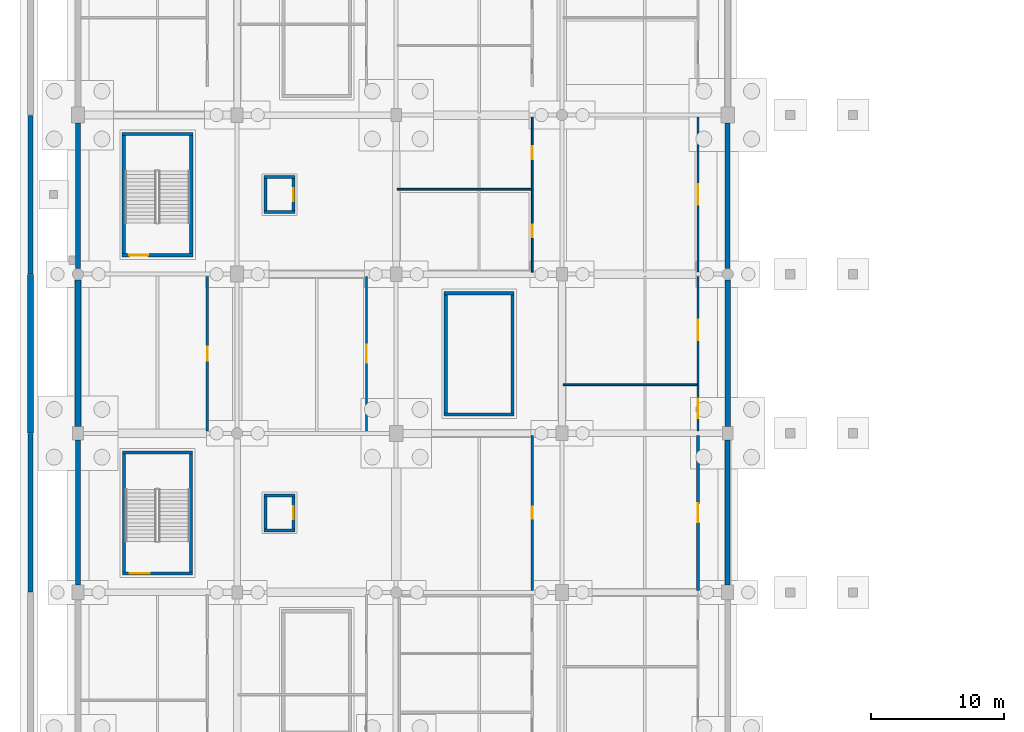
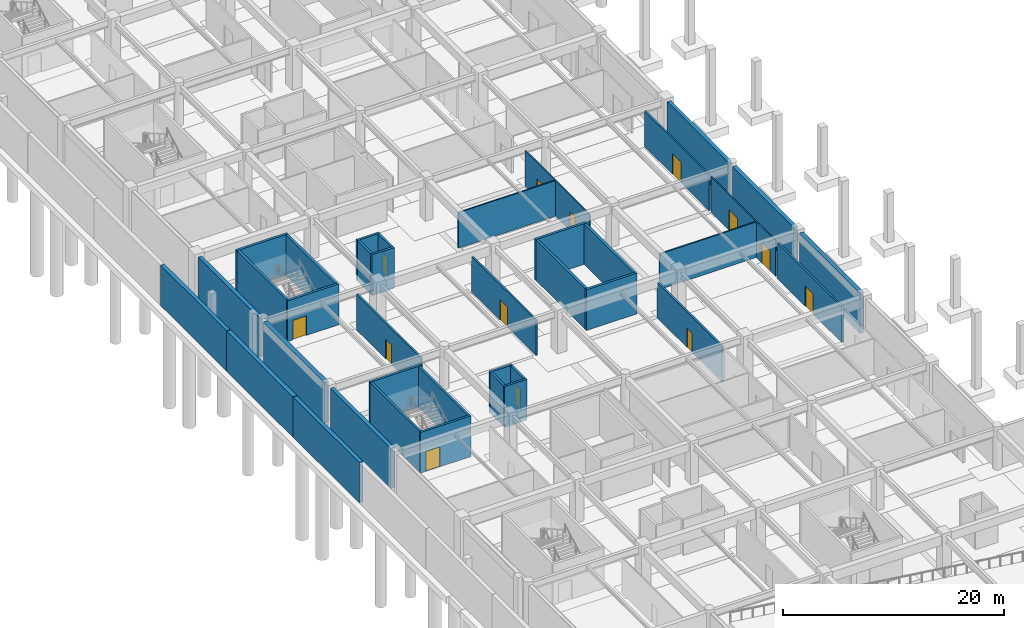
# One storey, part 27 of 56: 38 walls, 13 doors, 13 openings.
"""IFC4 building model written with IfcOpenShell, lengths in metres."""

from ifc_helpers import new_model, si_unit, direction, frame, frame_2d, origin, place, context, subcontext, project, spatial, rectangle, extrude, material, layer, layer_set, type_object, element, fill, save


model = new_model("IFC4")

# Units and contexts
model_context = context("Model", 3, precision=1e-05, world=origin(), true_north=direction((0.0, 1.0)))
body_context = subcontext(model_context, "Body", "Model", "MODEL_VIEW")
ifc_project = project(units=[si_unit("LENGTHUNIT", "METRE"), si_unit("AREAUNIT", "SQUARE_METRE"), si_unit("VOLUMEUNIT", "CUBIC_METRE"), si_unit("PLANEANGLEUNIT", "RADIAN"), si_unit("MASSUNIT", "GRAM", prefix="KILO")], contexts=[model_context])

# Site, building, storey
site_placement = place(None, origin())
site = spatial("IfcSite", under=ifc_project, at=site_placement, CompositionType="ELEMENT")
building_placement = place(site_placement, origin())
building = spatial("IfcBuilding", under=site, at=building_placement, Name="Kazenohara Klinker Stadium", CompositionType="ELEMENT")
storey_placement = place(building_placement, frame((0.0, 0.0, -4.800048828125)))
storey = spatial("IfcBuildingStorey", under=building, at=storey_placement, Name="B01", CompositionType="ELEMENT", Elevation=-4.800048828125)

# Walls
ifc_material_1 = material(Name="Concrete C40/50", Category="concrete")
ifc_layer_1 = layer(ifc_material_1, 0.39990234375)
ifc_layer_set_1 = layer_set([ifc_layer_1], Name="Concrete C40/50")
wall_type_1 = type_object("IfcWallType", Name="WAL-B01-PLINTH400", PredefinedType="USERDEFINED", material=ifc_layer_set_1)
for number, where, z_axis, x_axis, name in (
    (1, (-3.580078125, 60.02001953125, 0.0), (0.0, 0.0, 1.0), (0.0, 1.0, 0.0), "Street plinth retaining wall RW04 West-06"),
    (2, (-3.580078125, 84.02001953125, 0.0), (0.0, 0.0, 1.0), (0.0, 1.0, 0.0), "Street plinth retaining wall RW04 West-08"),
):
    element("IfcWall", number, at=place(storey_placement, frame(where, z_axis=z_axis, x_axis=x_axis)), inside=storey, type_object=wall_type_1, Name=name, ObjectType="RETAINING WALL", PredefinedType="USERDEFINED", context=body_context, shape_type="SweptSolid", body=[
        extrude(rectangle(XDim=11.9599609375, YDim=0.39990234375, at=frame_2d((5.97998046875, 0.0))), origin(), (0.0, 0.0, 1.0), 4.4599609375),
    ])
ifc_layer_2 = layer(ifc_material_1, 0.43994140625)
ifc_layer_set_2 = layer_set([ifc_layer_2], Name="Concrete C40/50")
wall_type_2 = type_object("IfcWallType", Name="WAL-B01-PLINTH440", PredefinedType="USERDEFINED", material=ifc_layer_set_2)
wall_1_placement = place(storey_placement, frame((-3.580078125, 72.02001953125, 0.0), z_axis=(0.0, 0.0, 1.0), x_axis=(0.0, 1.0, 0.0)))
element("IfcWall", 3, at=wall_1_placement, inside=storey, type_object=wall_type_2, Name="Street plinth retaining wall RW03 West-07", ObjectType="RETAINING WALL", PredefinedType="USERDEFINED", context=body_context, shape_type="SweptSolid", body=[
    extrude(rectangle(XDim=11.9599609375, YDim=0.43994140625, at=frame_2d((5.97998046875, 0.0))), origin(), (0.0, 0.0, 1.0), 4.4599609375),
])
ifc_layer_3 = layer(ifc_material_1, 0.3798828125)
ifc_layer_set_3 = layer_set([ifc_layer_3], Name="Concrete C40/50")
wall_type_3 = type_object("IfcWallType", Name="WAL-B01-RET380", PredefinedType="STANDARD", material=ifc_layer_set_3)
wall_2_placement = place(storey_placement, frame((0.0, 60.553955078125, 0.0), z_axis=(0.0, 0.0, 1.0), x_axis=(0.0, 1.0, 0.0)))
element("IfcWall", 4, at=wall_2_placement, inside=storey, type_object=wall_type_3, Name="Basement perimeter retaining wall RW02 Y-00-05", PredefinedType="STANDARD", context=body_context, shape_type="SweptSolid", body=[
    extrude(rectangle(XDim=10.942138671875, YDim=0.3798828125, at=frame_2d((5.47119140625, 0.0))), origin(), (0.0, 0.0, 1.0), 4.4599609375),
])
wall_3_placement = place(storey_placement, frame((0.0, 84.428955078125, 0.0), z_axis=(0.0, 0.0, 1.0), x_axis=(0.0, 1.0, 0.0)))
element("IfcWall", 5, at=wall_3_placement, inside=storey, type_object=wall_type_3, Name="Basement perimeter retaining wall RW02 Y-00-07", PredefinedType="STANDARD", context=body_context, shape_type="SweptSolid", body=[
    extrude(rectangle(XDim=10.967041015625, YDim=0.3798828125, at=frame_2d((5.4833984375, 0.0))), origin(), (0.0, 0.0, 1.0), 4.4599609375),
])
wall_4_placement = place(storey_placement, frame((49.0, 60.553955078125, 0.0), z_axis=(0.0, 0.0, 1.0), x_axis=(0.0, 1.0, 0.0)))
element("IfcWall", 6, at=wall_4_placement, inside=storey, type_object=wall_type_3, Name="Basement perimeter retaining wall RW02 Y-04-05", PredefinedType="STANDARD", context=body_context, shape_type="SweptSolid", body=[
    extrude(rectangle(XDim=10.942138671875, YDim=0.3798828125, at=frame_2d((5.47119140625, 0.0))), origin(), (0.0, 0.0, 1.0), 4.4599609375),
])
wall_5_placement = place(storey_placement, frame((49.0, 84.428955078125, 0.0), z_axis=(0.0, 0.0, 1.0), x_axis=(0.0, 1.0, 0.0)))
element("IfcWall", 7, at=wall_5_placement, inside=storey, type_object=wall_type_3, Name="Basement perimeter retaining wall RW02 Y-04-07", PredefinedType="STANDARD", context=body_context, shape_type="SweptSolid", body=[
    extrude(rectangle(XDim=10.967041015625, YDim=0.3798828125, at=frame_2d((5.4833984375, 0.0))), origin(), (0.0, 0.0, 1.0), 4.4599609375),
])
ifc_layer_4 = layer(ifc_material_1, 0.419921875)
ifc_layer_set_4 = layer_set([ifc_layer_4], Name="Concrete C40/50")
wall_type_4 = type_object("IfcWallType", Name="WAL-B01-RET420", PredefinedType="STANDARD", material=ifc_layer_set_4)
for number, where, z_axis, x_axis, name in (
    (8, (0.0, 72.50390625, 0.0), (0.0, 0.0, 1.0), (0.0, 1.0, 0.0), "Basement perimeter retaining wall RW01 Y-00-06"),
    (9, (49.0, 72.50390625, 0.0), (0.0, 0.0, 1.0), (0.0, 1.0, 0.0), "Basement perimeter retaining wall RW01 Y-04-06"),
):
    element("IfcWall", number, at=place(storey_placement, frame(where, z_axis=z_axis, x_axis=x_axis)), inside=storey, type_object=wall_type_4, Name=name, PredefinedType="STANDARD", context=body_context, shape_type="SweptSolid", body=[
        extrude(rectangle(XDim=11.067138671875, YDim=0.419921875, at=frame_2d((5.53369140625, 0.0))), origin(), (0.0, 0.0, 1.0), 4.4599609375),
    ])

# Wall, opening, door
ifc_layer_5 = layer(ifc_material_1, 0.22998046875)
ifc_layer_set_5 = layer_set([ifc_layer_5], Name="Concrete C40/50")
wall_type_5 = type_object("IfcWallType", Name="WAL-CORE-230", PredefinedType="SHEAR", material=ifc_layer_set_5)
wall_6_placement = place(storey_placement, frame((3.3701171875, 61.43505859375, 0.0), z_axis=(0.0, 0.0, 1.0), x_axis=(1.0, 0.0, 0.0)))
wall_6 = element("IfcWall", 10, at=wall_6_placement, inside=storey, type_object=wall_type_5, Name="Stairwell shear wall ST02 B01 South", PredefinedType="SHEAR", context=body_context, shape_type="SweptSolid", body=[
    extrude(rectangle(XDim=5.259765625, YDim=0.22998046875, at=frame_2d((2.6298828125, 0.0))), origin(), (0.0, 0.0, 1.0), 4.5),
])
opening_1_placement = place(wall_6_placement, frame((0.550048828125, 0.0, 0.0)))
opening_1 = element("IfcOpeningElement", 11, at=opening_1_placement, cuts=wall_6, Name="Opening SD02", PredefinedType="OPENING", context=body_context, shape_type="SweptSolid", body=[
    extrude(rectangle(XDim=1.5, YDim=2.199951171875, at=frame_2d((0.75, 1.10009765625))), frame((0.0, 0.125, 0.0), z_axis=(0.0, -1.0, 0.0), x_axis=(1.0, 0.0, 0.0)), (0.0, 0.0, 1.0), 0.25),
])
ifc_material_2 = material(Name="Flush painted steel fire door leaf", Category="steel")
door_type_1 = type_object("IfcDoorType", Name="DR-STR-1500x2200", OperationType="NOTDEFINED", PredefinedType="DOOR", material=ifc_material_2)
door_1_placement = place(opening_1_placement, origin())
door_1 = element("IfcDoor", 12, at=door_1_placement, inside=storey, type_object=door_type_1, Name="Escape stairwell fire door ST02-B01", OperationType="SINGLE_SWING_RIGHT", OverallHeight=2.199951171875, OverallWidth=1.5, PredefinedType="DOOR", context=body_context, shape_type="SweptSolid", body=[
    extrude(rectangle(XDim=1.5, YDim=2.199951171875, at=frame_2d((0.75, 1.10009765625))), frame((0.0, 0.02490234375, 0.0), z_axis=(0.0, -1.0, 0.0), x_axis=(1.0, 0.0, 0.0)), (0.0, 0.0, 1.0), 0.050048828125),
])
fill(opening_1, door_1)

# Walls
wall_7_placement = place(storey_placement, frame((3.3701171875, 70.56494140625, 0.0), z_axis=(0.0, 0.0, 1.0), x_axis=(1.0, 0.0, 0.0)))
element("IfcWall", 13, at=wall_7_placement, inside=storey, type_object=wall_type_5, Name="Stairwell shear wall ST02 B01 North", PredefinedType="SHEAR", context=body_context, shape_type="SweptSolid", body=[
    extrude(rectangle(XDim=5.259765625, YDim=0.22998046875, at=frame_2d((2.6298828125, 0.0))), origin(), (0.0, 0.0, 1.0), 4.5),
])
for number, where, z_axis, x_axis, name in (
    (14, (3.485107421875, 61.550048828125, 0.0), (0.0, 0.0, 1.0), (0.0, 1.0, 0.0), "Stairwell shear wall ST02 B01 West"),
    (15, (8.514892578125, 61.550048828125, 0.0), (0.0, 0.0, 1.0), (0.0, 1.0, 0.0), "Stairwell shear wall ST02 B01 East"),
):
    element("IfcWall", number, at=place(storey_placement, frame(where, z_axis=z_axis, x_axis=x_axis)), inside=storey, type_object=wall_type_5, Name=name, PredefinedType="SHEAR", context=body_context, shape_type="SweptSolid", body=[
        extrude(rectangle(XDim=8.89990234375, YDim=0.22998046875, at=frame_2d((4.449951171875, 0.0))), origin(), (0.0, 0.0, 1.0), 4.5),
    ])
for number, where, z_axis, x_axis, name in (
    (16, (14.02001953125, 64.68505859375, -0.64990234375), (0.0, 0.0, 1.0), (1.0, 0.0, 0.0), "Elevator shaft wall LP01 B01 South"),
    (17, (14.02001953125, 67.31494140625, -0.64990234375), (0.0, 0.0, 1.0), (1.0, 0.0, 0.0), "Elevator shaft wall LP01 B01 North"),
):
    element("IfcWall", number, at=place(storey_placement, frame(where, z_axis=z_axis, x_axis=x_axis)), inside=storey, type_object=wall_type_5, Name=name, PredefinedType="SHEAR", context=body_context, shape_type="SweptSolid", body=[
        extrude(rectangle(XDim=2.35986328125, YDim=0.22998046875, at=frame_2d((1.179931640625, 0.0))), origin(), (0.0, 0.0, 1.0), 4.5),
    ])
wall_8_placement = place(storey_placement, frame((14.135009765625, 64.800048828125, -0.64990234375), z_axis=(0.0, 0.0, 1.0), x_axis=(0.0, 1.0, 0.0)))
element("IfcWall", 18, at=wall_8_placement, inside=storey, type_object=wall_type_5, Name="Elevator shaft wall LP01 B01 West", PredefinedType="SHEAR", context=body_context, shape_type="SweptSolid", body=[
    extrude(rectangle(XDim=2.39990234375, YDim=0.22998046875, at=frame_2d((1.199951171875, 0.0))), origin(), (0.0, 0.0, 1.0), 4.5),
])

# Wall, opening, door
wall_9_placement = place(storey_placement, frame((16.264892578125, 64.800048828125, -0.64990234375), z_axis=(0.0, 0.0, 1.0), x_axis=(0.0, 1.0, 0.0)))
wall_9 = element("IfcWall", 19, at=wall_9_placement, inside=storey, type_object=wall_type_5, Name="Elevator shaft wall LP01 B01 East", PredefinedType="SHEAR", context=body_context, shape_type="SweptSolid", body=[
    extrude(rectangle(XDim=2.39990234375, YDim=0.22998046875, at=frame_2d((1.199951171875, 0.0))), origin(), (0.0, 0.0, 1.0), 4.5),
])
opening_2_placement = place(wall_9_placement, frame((0.699951171875, 0.0, 0.64990234375)))
opening_2 = element("IfcOpeningElement", 20, at=opening_2_placement, cuts=wall_9, Name="Opening LD02", PredefinedType="OPENING", context=body_context, shape_type="SweptSolid", body=[
    extrude(rectangle(XDim=1.0, YDim=2.14990234375, at=frame_2d((0.5, 1.074951171875))), frame((0.0, 0.125, 0.0), z_axis=(0.0, -1.0, 0.0), x_axis=(1.0, 0.0, 0.0)), (0.0, 0.0, 1.0), 0.25),
])
ifc_material_3 = material(Name="Stainless steel sliding landing door", Category="steel")
door_type_2 = type_object("IfcDoorType", Name="DR-LD02-1000x2150", OperationType="NOTDEFINED", PredefinedType="DOOR", material=ifc_material_3)
door_2_placement = place(opening_2_placement, origin())
door_2 = element("IfcDoor", 21, at=door_2_placement, inside=storey, type_object=door_type_2, Name="Elevator sliding landing door LP01-B01", OperationType="DOUBLE_DOOR_SLIDING", OverallHeight=2.14990234375, OverallWidth=1.0, PredefinedType="DOOR", context=body_context, shape_type="SweptSolid", body=[
    extrude(rectangle(XDim=1.0, YDim=2.14990234375, at=frame_2d((0.5, 1.074951171875))), frame((0.0, 0.02490234375, 0.0), z_axis=(0.0, -1.0, 0.0), x_axis=(1.0, 0.0, 0.0)), (0.0, 0.0, 1.0), 0.050048828125),
])
fill(opening_2, door_2)

# Walls
for number, where, z_axis, x_axis, name in (
    (22, (14.02001953125, 88.68505859375, -0.64990234375), (0.0, 0.0, 1.0), (1.0, 0.0, 0.0), "Elevator shaft wall LP02 B01 South"),
    (23, (14.02001953125, 91.31494140625, -0.64990234375), (0.0, 0.0, 1.0), (1.0, 0.0, 0.0), "Elevator shaft wall LP02 B01 North"),
):
    element("IfcWall", number, at=place(storey_placement, frame(where, z_axis=z_axis, x_axis=x_axis)), inside=storey, type_object=wall_type_5, Name=name, PredefinedType="SHEAR", context=body_context, shape_type="SweptSolid", body=[
        extrude(rectangle(XDim=2.35986328125, YDim=0.22998046875, at=frame_2d((1.179931640625, 0.0))), origin(), (0.0, 0.0, 1.0), 4.5),
    ])
wall_10_placement = place(storey_placement, frame((14.135009765625, 88.800048828125, -0.64990234375), z_axis=(0.0, 0.0, 1.0), x_axis=(0.0, 1.0, 0.0)))
element("IfcWall", 24, at=wall_10_placement, inside=storey, type_object=wall_type_5, Name="Elevator shaft wall LP02 B01 West", PredefinedType="SHEAR", context=body_context, shape_type="SweptSolid", body=[
    extrude(rectangle(XDim=2.39990234375, YDim=0.22998046875, at=frame_2d((1.199951171875, 0.0))), origin(), (0.0, 0.0, 1.0), 4.5),
])

# Wall, opening, door
wall_11_placement = place(storey_placement, frame((16.264892578125, 88.800048828125, -0.64990234375), z_axis=(0.0, 0.0, 1.0), x_axis=(0.0, 1.0, 0.0)))
wall_11 = element("IfcWall", 25, at=wall_11_placement, inside=storey, type_object=wall_type_5, Name="Elevator shaft wall LP02 B01 East", PredefinedType="SHEAR", context=body_context, shape_type="SweptSolid", body=[
    extrude(rectangle(XDim=2.39990234375, YDim=0.22998046875, at=frame_2d((1.199951171875, 0.0))), origin(), (0.0, 0.0, 1.0), 4.5),
])
opening_3_placement = place(wall_11_placement, frame((0.699951171875, 0.0, 0.64990234375)))
opening_3 = element("IfcOpeningElement", 26, at=opening_3_placement, cuts=wall_11, Name="Opening LD02", PredefinedType="OPENING", context=body_context, shape_type="SweptSolid", body=[
    extrude(rectangle(XDim=1.0, YDim=2.14990234375, at=frame_2d((0.5, 1.074951171875))), frame((0.0, 0.125, 0.0), z_axis=(0.0, -1.0, 0.0), x_axis=(1.0, 0.0, 0.0)), (0.0, 0.0, 1.0), 0.25),
])
door_3_placement = place(opening_3_placement, origin())
door_3 = element("IfcDoor", 27, at=door_3_placement, inside=storey, type_object=door_type_2, Name="Elevator sliding landing door LP02-B01", OperationType="DOUBLE_DOOR_SLIDING", OverallHeight=2.14990234375, OverallWidth=1.0, PredefinedType="DOOR", context=body_context, shape_type="SweptSolid", body=[
    extrude(rectangle(XDim=1.0, YDim=2.14990234375, at=frame_2d((0.5, 1.074951171875))), frame((0.0, 0.02490234375, 0.0), z_axis=(0.0, -1.0, 0.0), x_axis=(1.0, 0.0, 0.0)), (0.0, 0.0, 1.0), 0.050048828125),
])
fill(opening_3, door_3)

ifc_layer_6 = layer(ifc_material_1, 0.25)
ifc_layer_set_6 = layer_set([ifc_layer_6], Name="Concrete C40/50")
wall_type_6 = type_object("IfcWallType", Name="WAL-CORE-250", PredefinedType="SHEAR", material=ifc_layer_set_6)
wall_12_placement = place(storey_placement, frame((3.330078125, 85.425048828125, 0.0), z_axis=(0.0, 0.0, 1.0), x_axis=(1.0, 0.0, 0.0)))
wall_12 = element("IfcWall", 28, at=wall_12_placement, inside=storey, type_object=wall_type_6, Name="Stairwell shear wall ST03 B01 South", PredefinedType="SHEAR", context=body_context, shape_type="SweptSolid", body=[
    extrude(rectangle(XDim=5.33984375, YDim=0.25, at=frame_2d((2.669921875, 0.0))), origin(), (0.0, 0.0, 1.0), 4.5),
])
opening_4_placement = place(wall_12_placement, frame((0.550048828125, 0.0, 0.0)))
opening_4 = element("IfcOpeningElement", 29, at=opening_4_placement, cuts=wall_12, Name="Opening SD01", PredefinedType="OPENING", context=body_context, shape_type="SweptSolid", body=[
    extrude(rectangle(XDim=1.39990234375, YDim=2.14990234375, at=frame_2d((0.699951171875, 1.074951171875))), frame((0.0, 0.135009765625, 0.0), z_axis=(0.0, -1.0, 0.0), x_axis=(1.0, 0.0, 0.0)), (0.0, 0.0, 1.0), 0.27001953125),
])
door_type_3 = type_object("IfcDoorType", Name="DR-STR-1400x2150", OperationType="NOTDEFINED", PredefinedType="DOOR", material=ifc_material_2)
door_4_placement = place(opening_4_placement, origin())
door_4 = element("IfcDoor", 30, at=door_4_placement, inside=storey, type_object=door_type_3, Name="Escape stairwell fire door ST03-B01", OperationType="SINGLE_SWING_LEFT", OverallHeight=2.14990234375, OverallWidth=1.39990234375, PredefinedType="DOOR", context=body_context, shape_type="SweptSolid", body=[
    extrude(rectangle(XDim=1.39990234375, YDim=2.14990234375, at=frame_2d((0.699951171875, 1.074951171875))), frame((0.0, 0.02490234375, 0.0), z_axis=(0.0, -1.0, 0.0), x_axis=(1.0, 0.0, 0.0)), (0.0, 0.0, 1.0), 0.050048828125),
])
fill(opening_4, door_4)

# Walls
wall_13_placement = place(storey_placement, frame((3.330078125, 94.574951171875, 0.0), z_axis=(0.0, 0.0, 1.0), x_axis=(1.0, 0.0, 0.0)))
element("IfcWall", 31, at=wall_13_placement, inside=storey, type_object=wall_type_6, Name="Stairwell shear wall ST03 B01 North", PredefinedType="SHEAR", context=body_context, shape_type="SweptSolid", body=[
    extrude(rectangle(XDim=5.33984375, YDim=0.25, at=frame_2d((2.669921875, 0.0))), origin(), (0.0, 0.0, 1.0), 4.5),
])
for number, where, z_axis, x_axis, name in (
    (32, (3.455078125, 85.550048828125, 0.0), (0.0, 0.0, 1.0), (0.0, 1.0, 0.0), "Stairwell shear wall ST03 B01 West"),
    (33, (8.544921875, 85.550048828125, 0.0), (0.0, 0.0, 1.0), (0.0, 1.0, 0.0), "Stairwell shear wall ST03 B01 East"),
):
    element("IfcWall", number, at=place(storey_placement, frame(where, z_axis=z_axis, x_axis=x_axis)), inside=storey, type_object=wall_type_6, Name=name, PredefinedType="SHEAR", context=body_context, shape_type="SweptSolid", body=[
        extrude(rectangle(XDim=8.89990234375, YDim=0.25, at=frame_2d((4.449951171875, 0.0))), origin(), (0.0, 0.0, 1.0), 4.5),
    ])
for number, where, z_axis, x_axis, name in (
    (34, (27.610107421875, 73.425048828125, 0.0), (0.0, 0.0, 1.0), (1.0, 0.0, 0.0), "Stairwell shear wall ST17 B01 South"),
    (35, (27.610107421875, 82.574951171875, 0.0), (0.0, 0.0, 1.0), (1.0, 0.0, 0.0), "Stairwell shear wall ST17 B01 North"),
):
    element("IfcWall", number, at=place(storey_placement, frame(where, z_axis=z_axis, x_axis=x_axis)), inside=storey, type_object=wall_type_6, Name=name, PredefinedType="SHEAR", context=body_context, shape_type="SweptSolid", body=[
        extrude(rectangle(XDim=5.27978515625, YDim=0.25, at=frame_2d((2.639892578125, 0.0))), origin(), (0.0, 0.0, 1.0), 4.5),
    ])
for number, where, z_axis, x_axis, name in (
    (36, (27.735107421875, 73.550048828125, 0.0), (0.0, 0.0, 1.0), (0.0, 1.0, 0.0), "Stairwell shear wall ST17 B01 West"),
    (37, (32.764892578125, 73.550048828125, 0.0), (0.0, 0.0, 1.0), (0.0, 1.0, 0.0), "Stairwell shear wall ST17 B01 East"),
):
    element("IfcWall", number, at=place(storey_placement, frame(where, z_axis=z_axis, x_axis=x_axis)), inside=storey, type_object=wall_type_6, Name=name, PredefinedType="SHEAR", context=body_context, shape_type="SweptSolid", body=[
        extrude(rectangle(XDim=8.89990234375, YDim=0.25, at=frame_2d((4.449951171875, 0.0))), origin(), (0.0, 0.0, 1.0), 4.5),
    ])

# Wall, openings, doors
ifc_material_4 = material(Name="Fire-rated gypsum board on acoustic studs", Category="gypsum")
ifc_layer_7 = layer(ifc_material_4, 0.1201171875)
ifc_layer_set_7 = layer_set([ifc_layer_7], Name="Fire-rated gypsum board on acoustic studs")
wall_type_7 = type_object("IfcWallType", Name="WAL-INT-P120", PredefinedType="PARTITIONING", material=ifc_layer_set_7)
wall_14_placement = place(storey_placement, frame((34.260009765625, 84.159912109375, 0.0), z_axis=(0.0, 0.0, 1.0), x_axis=(0.0, 1.0, 0.0)))
wall_14 = element("IfcWall", 38, at=wall_14_placement, inside=storey, type_object=wall_type_7, Name="Interior partition wall PT02 SPC-B01-02-07-1-1", PredefinedType="PARTITIONING", context=body_context, shape_type="SweptSolid", body=[
    extrude(rectangle(XDim=11.68017578125, YDim=0.1201171875, at=frame_2d((5.840087890625, 0.0))), origin(), (0.0, 0.0, 1.0), 3.920166015625),
])
opening_5_placement = place(wall_14_placement, frame((2.609375, 0.0, 0.0)))
opening_5 = element("IfcOpeningElement", 39, at=opening_5_placement, cuts=wall_14, Name="Opening ID03", PredefinedType="OPENING", context=body_context, shape_type="SweptSolid", body=[
    extrude(rectangle(XDim=0.949951171875, YDim=2.1201171875, at=frame_2d((0.47509765625, 1.06005859375))), frame((0.0, 0.070068359375, 0.0), z_axis=(0.0, -1.0, 0.0), x_axis=(1.0, 0.0, 0.0)), (0.0, 0.0, 1.0), 0.14013671875),
])
opening_6_placement = place(wall_14_placement, frame((8.514404296875, 0.0, 0.0)))
opening_6 = element("IfcOpeningElement", 40, at=opening_6_placement, cuts=wall_14, Name="Opening ID04", PredefinedType="OPENING", context=body_context, shape_type="SweptSolid", body=[
    extrude(rectangle(XDim=0.97998046875, YDim=2.10009765625, at=frame_2d((0.489990234375, 1.050048828125))), frame((0.0, 0.070068359375, 0.0), z_axis=(0.0, -1.0, 0.0), x_axis=(1.0, 0.0, 0.0)), (0.0, 0.0, 1.0), 0.14013671875),
])
ifc_material_5 = material(Name="Solid-core Hokkaido oak fire door", Category="wood")
door_type_4 = type_object("IfcDoorType", Name="DR-INT-03", OperationType="NOTDEFINED", PredefinedType="DOOR", material=ifc_material_5)
door_5_placement = place(opening_5_placement, origin())
door_5 = element("IfcDoor", 41, at=door_5_placement, inside=storey, type_object=door_type_4, Name="Interior door ID03 Sports Hydrotherapy Recovery Clinic B01-0207A", OperationType="SINGLE_SWING_RIGHT", OverallHeight=2.1201171875, OverallWidth=0.949951171875, PredefinedType="DOOR", context=body_context, shape_type="SweptSolid", body=[
    extrude(rectangle(XDim=0.949951171875, YDim=2.1201171875, at=frame_2d((0.47509765625, 1.06005859375))), frame((0.0, 0.02490234375, 0.0), z_axis=(0.0, -1.0, 0.0), x_axis=(1.0, 0.0, 0.0)), (0.0, 0.0, 1.0), 0.050048828125),
])
fill(opening_5, door_5)
door_type_5 = type_object("IfcDoorType", Name="DR-INT-04", OperationType="NOTDEFINED", PredefinedType="DOOR", material=ifc_material_5)
door_6_placement = place(opening_6_placement, origin())
door_6 = element("IfcDoor", 42, at=door_6_placement, inside=storey, type_object=door_type_5, Name="Interior door ID04 Doping Control Medical Laboratory B01-0207B", OperationType="SINGLE_SWING_LEFT", OverallHeight=2.10009765625, OverallWidth=0.97998046875, PredefinedType="DOOR", context=body_context, shape_type="SweptSolid", body=[
    extrude(rectangle(XDim=0.97998046875, YDim=2.10009765625, at=frame_2d((0.489990234375, 1.050048828125))), frame((0.0, 0.02490234375, 0.0), z_axis=(0.0, -1.0, 0.0), x_axis=(1.0, 0.0, 0.0)), (0.0, 0.0, 1.0), 0.050048828125),
])
fill(opening_6, door_6)

wall_15_placement = place(storey_placement, frame((46.760009765625, 72.159912109375, 0.0), z_axis=(0.0, 0.0, 1.0), x_axis=(0.0, 1.0, 0.0)))
wall_15 = element("IfcWall", 43, at=wall_15_placement, inside=storey, type_object=wall_type_7, Name="Interior partition wall PT02 SPC-B01-03-06-1-1", PredefinedType="PARTITIONING", context=body_context, shape_type="SweptSolid", body=[
    extrude(rectangle(XDim=11.68017578125, YDim=0.1201171875, at=frame_2d((5.840087890625, 0.0))), origin(), (0.0, 0.0, 1.0), 3.920166015625),
])
opening_7_placement = place(wall_15_placement, frame((0.971923828125, 0.0, 0.0)))
opening_7 = element("IfcOpeningElement", 44, at=opening_7_placement, cuts=wall_15, Name="Opening ID20", PredefinedType="OPENING", context=body_context, shape_type="SweptSolid", body=[
    extrude(rectangle(XDim=1.47998046875, YDim=2.239990234375, at=frame_2d((0.739990234375, 1.1201171875))), frame((0.0, 0.070068359375, 0.0), z_axis=(0.0, -1.0, 0.0), x_axis=(1.0, 0.0, 0.0)), (0.0, 0.0, 1.0), 0.14013671875),
])
opening_8_placement = place(wall_15_placement, frame((6.8720703125, 0.0, 0.0)))
opening_8 = element("IfcOpeningElement", 45, at=opening_8_placement, cuts=wall_15, Name="Opening ID21", PredefinedType="OPENING", context=body_context, shape_type="SweptSolid", body=[
    extrude(rectangle(XDim=1.52001953125, YDim=2.280029296875, at=frame_2d((0.760009765625, 1.14013671875))), frame((0.0, 0.070068359375, 0.0), z_axis=(0.0, -1.0, 0.0), x_axis=(1.0, 0.0, 0.0)), (0.0, 0.0, 1.0), 0.14013671875),
])
ifc_material_6 = material(Name="Painted steel plant fire door", Category="steel")
door_type_6 = type_object("IfcDoorType", Name="DR-INT-20", OperationType="NOTDEFINED", PredefinedType="DOOR", material=ifc_material_6)
door_7_placement = place(opening_7_placement, origin())
door_7 = element("IfcDoor", 46, at=door_7_placement, inside=storey, type_object=door_type_6, Name="Interior door ID20 Electrical Switchgear Plant B01-0306A", OperationType="SINGLE_SWING_LEFT", OverallHeight=2.239990234375, OverallWidth=1.47998046875, PredefinedType="DOOR", context=body_context, shape_type="SweptSolid", body=[
    extrude(rectangle(XDim=1.47998046875, YDim=2.239990234375, at=frame_2d((0.739990234375, 1.1201171875))), frame((0.0, 0.02490234375, 0.0), z_axis=(0.0, -1.0, 0.0), x_axis=(1.0, 0.0, 0.0)), (0.0, 0.0, 1.0), 0.050048828125),
])
fill(opening_7, door_7)
door_type_7 = type_object("IfcDoorType", Name="DR-INT-21", OperationType="NOTDEFINED", PredefinedType="DOOR", material=ifc_material_6)
door_8_placement = place(opening_8_placement, origin())
door_8 = element("IfcDoor", 47, at=door_8_placement, inside=storey, type_object=door_type_7, Name="Interior door ID21 Doping Control Medical Laboratory B01-0306B", OperationType="SINGLE_SWING_RIGHT", OverallHeight=2.280029296875, OverallWidth=1.52001953125, PredefinedType="DOOR", context=body_context, shape_type="SweptSolid", body=[
    extrude(rectangle(XDim=1.52001953125, YDim=2.280029296875, at=frame_2d((0.760009765625, 1.14013671875))), frame((0.0, 0.02490234375, 0.0), z_axis=(0.0, -1.0, 0.0), x_axis=(1.0, 0.0, 0.0)), (0.0, 0.0, 1.0), 0.050048828125),
])
fill(opening_8, door_8)

# Walls
ifc_layer_8 = layer(ifc_material_4, 0.139892578125)
ifc_layer_set_8 = layer_set([ifc_layer_8], Name="Fire-rated gypsum board on acoustic studs")
wall_type_8 = type_object("IfcWallType", Name="WAL-INT-P140", PredefinedType="PARTITIONING", material=ifc_layer_set_8)
for number, where, z_axis, x_axis, name in (
    (48, (24.080078125, 90.40869140625, 0.0), (0.0, 0.0, 1.0), (1.0, 0.0, 0.0), "Interior partition wall PT03 SPC-B01-02-07-1-2"),
    (49, (36.580078125, 75.6640625, 0.0), (0.0, 0.0, 1.0), (1.0, 0.0, 0.0), "Interior partition wall PT03 SPC-B01-03-06-1-2"),
):
    element("IfcWall", number, at=place(storey_placement, frame(where, z_axis=z_axis, x_axis=x_axis)), inside=storey, type_object=wall_type_8, Name=name, PredefinedType="PARTITIONING", context=body_context, shape_type="SweptSolid", body=[
        extrude(rectangle(XDim=10.114990234375, YDim=0.139892578125, at=frame_2d((5.0576171875, 0.0))), origin(), (0.0, 0.0, 1.0), 3.920166015625),
    ])

# Wall, opening, door
ifc_layer_9 = layer(ifc_material_4, 0.169921875)
ifc_layer_set_9 = layer_set([ifc_layer_9], Name="Fire-rated gypsum board on acoustic studs")
wall_type_9 = type_object("IfcWallType", Name="WAL-INT-P170", PredefinedType="PARTITIONING", material=ifc_layer_set_9)
wall_16_placement = place(storey_placement, frame((21.760009765625, 72.159912109375, 0.0), z_axis=(0.0, 0.0, 1.0), x_axis=(0.0, 1.0, 0.0)))
wall_16 = element("IfcWall", 50, at=wall_16_placement, inside=storey, type_object=wall_type_9, Name="Interior partition wall PT05 SPC-B01-01-06-1-1", PredefinedType="PARTITIONING", context=body_context, shape_type="SweptSolid", body=[
    extrude(rectangle(XDim=11.68017578125, YDim=0.169921875, at=frame_2d((5.840087890625, 0.0))), origin(), (0.0, 0.0, 1.0), 3.920166015625),
])
opening_9_placement = place(wall_16_placement, frame((5.159912109375, 0.0, 0.0)))
opening_9 = element("IfcOpeningElement", 51, at=opening_9_placement, cuts=wall_16, Name="Opening ID17", PredefinedType="OPENING", context=body_context, shape_type="SweptSolid", body=[
    extrude(rectangle(XDim=1.360107421875, YDim=2.25, at=frame_2d((0.68017578125, 1.125))), frame((0.0, 0.094970703125, 0.0), z_axis=(0.0, -1.0, 0.0), x_axis=(1.0, 0.0, 0.0)), (0.0, 0.0, 1.0), 0.18994140625),
])
door_type_8 = type_object("IfcDoorType", Name="DR-INT-17", OperationType="NOTDEFINED", PredefinedType="DOOR", material=ifc_material_5)
door_9_placement = place(opening_9_placement, origin())
door_9 = element("IfcDoor", 52, at=door_9_placement, inside=storey, type_object=door_type_8, Name="Interior door ID17 Sports Hydrotherapy Recovery Clinic B01-0106A", OperationType="SINGLE_SWING_RIGHT", OverallHeight=2.25, OverallWidth=1.360107421875, PredefinedType="DOOR", context=body_context, shape_type="SweptSolid", body=[
    extrude(rectangle(XDim=1.360107421875, YDim=2.25, at=frame_2d((0.68017578125, 1.125))), frame((0.0, 0.02490234375, 0.0), z_axis=(0.0, -1.0, 0.0), x_axis=(1.0, 0.0, 0.0)), (0.0, 0.0, 1.0), 0.050048828125),
])
fill(opening_9, door_9)

wall_17_placement = place(storey_placement, frame((46.760009765625, 84.159912109375, 0.0), z_axis=(0.0, 0.0, 1.0), x_axis=(0.0, 1.0, 0.0)))
wall_17 = element("IfcWall", 53, at=wall_17_placement, inside=storey, type_object=wall_type_9, Name="Interior partition wall PT05 SPC-B01-03-07-1-1", PredefinedType="PARTITIONING", context=body_context, shape_type="SweptSolid", body=[
    extrude(rectangle(XDim=11.68017578125, YDim=0.169921875, at=frame_2d((5.840087890625, 0.0))), origin(), (0.0, 0.0, 1.0), 3.920166015625),
])
opening_10_placement = place(wall_17_placement, frame((5.06005859375, 0.0, 0.0)))
opening_10 = element("IfcOpeningElement", 54, at=opening_10_placement, cuts=wall_17, Name="Opening ID22", PredefinedType="OPENING", context=body_context, shape_type="SweptSolid", body=[
    extrude(rectangle(XDim=1.56005859375, YDim=2.260009765625, at=frame_2d((0.780029296875, 1.1298828125))), frame((0.0, 0.094970703125, 0.0), z_axis=(0.0, -1.0, 0.0), x_axis=(1.0, 0.0, 0.0)), (0.0, 0.0, 1.0), 0.18994140625),
])
door_type_9 = type_object("IfcDoorType", Name="DR-INT-22", OperationType="NOTDEFINED", PredefinedType="DOOR", material=ifc_material_6)
door_10_placement = place(opening_10_placement, origin())
door_10 = element("IfcDoor", 55, at=door_10_placement, inside=storey, type_object=door_type_9, Name="Interior door ID22 Visiting-Club Athlete Changing Room B01-0307A", OperationType="SINGLE_SWING_LEFT", OverallHeight=2.260009765625, OverallWidth=1.56005859375, PredefinedType="DOOR", context=body_context, shape_type="SweptSolid", body=[
    extrude(rectangle(XDim=1.56005859375, YDim=2.260009765625, at=frame_2d((0.780029296875, 1.1298828125))), frame((0.0, 0.02490234375, 0.0), z_axis=(0.0, -1.0, 0.0), x_axis=(1.0, 0.0, 0.0)), (0.0, 0.0, 1.0), 0.050048828125),
])
fill(opening_10, door_10)

ifc_layer_10 = layer(ifc_material_4, 0.18994140625)
ifc_layer_set_10 = layer_set([ifc_layer_10], Name="Fire-rated gypsum board on acoustic studs")
wall_type_10 = type_object("IfcWallType", Name="WAL-INT-P190", PredefinedType="PARTITIONING", material=ifc_layer_set_10)
wall_18_placement = place(storey_placement, frame((9.760009765625, 72.159912109375, 0.0), z_axis=(0.0, 0.0, 1.0), x_axis=(0.0, 1.0, 0.0)))
wall_18 = element("IfcWall", 56, at=wall_18_placement, inside=storey, type_object=wall_type_10, Name="Interior partition wall PT06 SPC-B01-00-06-1-1", PredefinedType="PARTITIONING", context=body_context, shape_type="SweptSolid", body=[
    extrude(rectangle(XDim=11.68017578125, YDim=0.18994140625, at=frame_2d((5.840087890625, 0.0))), origin(), (0.0, 0.0, 1.0), 3.920166015625),
])
opening_11_placement = place(wall_18_placement, frame((5.31005859375, 0.0, 0.0)))
opening_11 = element("IfcOpeningElement", 57, at=opening_11_placement, cuts=wall_18, Name="Opening ID07", PredefinedType="OPENING", context=body_context, shape_type="SweptSolid", body=[
    extrude(rectangle(XDim=1.06005859375, YDim=2.14990234375, at=frame_2d((0.530029296875, 1.074951171875))), frame((0.0, 0.10498046875, 0.0), z_axis=(0.0, -1.0, 0.0), x_axis=(1.0, 0.0, 0.0)), (0.0, 0.0, 1.0), 0.2099609375),
])
door_type_10 = type_object("IfcDoorType", Name="DR-INT-07", OperationType="NOTDEFINED", PredefinedType="DOOR", material=ifc_material_5)
door_11_placement = place(opening_11_placement, origin())
door_11 = element("IfcDoor", 58, at=door_11_placement, inside=storey, type_object=door_type_10, Name="Interior door ID07 Mixed Zone Broadcast Interview Studio B01-0006A", OperationType="SINGLE_SWING_RIGHT", OverallHeight=2.14990234375, OverallWidth=1.06005859375, PredefinedType="DOOR", context=body_context, shape_type="SweptSolid", body=[
    extrude(rectangle(XDim=1.06005859375, YDim=2.14990234375, at=frame_2d((0.530029296875, 1.074951171875))), frame((0.0, 0.02490234375, 0.0), z_axis=(0.0, -1.0, 0.0), x_axis=(1.0, 0.0, 0.0)), (0.0, 0.0, 1.0), 0.050048828125),
])
fill(opening_11, door_11)

wall_19_placement = place(storey_placement, frame((34.260009765625, 60.159912109375, 0.0), z_axis=(0.0, 0.0, 1.0), x_axis=(0.0, 1.0, 0.0)))
wall_19 = element("IfcWall", 59, at=wall_19_placement, inside=storey, type_object=wall_type_10, Name="Interior partition wall PT06 SPC-B01-02-05-1-1", PredefinedType="PARTITIONING", context=body_context, shape_type="SweptSolid", body=[
    extrude(rectangle(XDim=11.68017578125, YDim=0.18994140625, at=frame_2d((5.840087890625, 0.0))), origin(), (0.0, 0.0, 1.0), 3.920166015625),
])
opening_12_placement = place(wall_19_placement, frame((5.3798828125, 0.0, 0.0)))
opening_12 = element("IfcOpeningElement", 60, at=opening_12_placement, cuts=wall_19, Name="Opening ID02", PredefinedType="OPENING", context=body_context, shape_type="SweptSolid", body=[
    extrude(rectangle(XDim=0.919921875, YDim=2.10009765625, at=frame_2d((0.4599609375, 1.050048828125))), frame((0.0, 0.10498046875, 0.0), z_axis=(0.0, -1.0, 0.0), x_axis=(1.0, 0.0, 0.0)), (0.0, 0.0, 1.0), 0.2099609375),
])
door_type_11 = type_object("IfcDoorType", Name="DR-INT-02", OperationType="NOTDEFINED", PredefinedType="DOOR", material=ifc_material_5)
door_12_placement = place(opening_12_placement, origin())
door_12 = element("IfcDoor", 61, at=door_12_placement, inside=storey, type_object=door_type_11, Name="Interior door ID02 First-Team Athlete Changing Room B01-0205A", OperationType="SINGLE_SWING_LEFT", OverallHeight=2.10009765625, OverallWidth=0.919921875, PredefinedType="DOOR", context=body_context, shape_type="SweptSolid", body=[
    extrude(rectangle(XDim=0.919921875, YDim=2.10009765625, at=frame_2d((0.4599609375, 1.050048828125))), frame((0.0, 0.02490234375, 0.0), z_axis=(0.0, -1.0, 0.0), x_axis=(1.0, 0.0, 0.0)), (0.0, 0.0, 1.0), 0.050048828125),
])
fill(opening_12, door_12)

wall_20_placement = place(storey_placement, frame((46.760009765625, 60.159912109375, 0.0), z_axis=(0.0, 0.0, 1.0), x_axis=(0.0, 1.0, 0.0)))
wall_20 = element("IfcWall", 62, at=wall_20_placement, inside=storey, type_object=wall_type_10, Name="Interior partition wall PT06 SPC-B01-03-05-1-1", PredefinedType="PARTITIONING", context=body_context, shape_type="SweptSolid", body=[
    extrude(rectangle(XDim=11.68017578125, YDim=0.18994140625, at=frame_2d((5.840087890625, 0.0))), origin(), (0.0, 0.0, 1.0), 3.920166015625),
])
opening_13_placement = place(wall_20_placement, frame((5.1201171875, 0.0, 0.0)))
opening_13 = element("IfcOpeningElement", 63, at=opening_13_placement, cuts=wall_20, Name="Opening ID19", PredefinedType="OPENING", context=body_context, shape_type="SweptSolid", body=[
    extrude(rectangle(XDim=1.43994140625, YDim=2.260009765625, at=frame_2d((0.719970703125, 1.1298828125))), frame((0.0, 0.10498046875, 0.0), z_axis=(0.0, -1.0, 0.0), x_axis=(1.0, 0.0, 0.0)), (0.0, 0.0, 1.0), 0.2099609375),
])
door_type_12 = type_object("IfcDoorType", Name="DR-INT-19", OperationType="NOTDEFINED", PredefinedType="DOOR", material=ifc_material_6)
door_13_placement = place(opening_13_placement, origin())
door_13 = element("IfcDoor", 64, at=door_13_placement, inside=storey, type_object=door_type_12, Name="Interior door ID19 Indoor Turf Sprint Training Arena B01-0305A", OperationType="SINGLE_SWING_RIGHT", OverallHeight=2.260009765625, OverallWidth=1.43994140625, PredefinedType="DOOR", context=body_context, shape_type="SweptSolid", body=[
    extrude(rectangle(XDim=1.43994140625, YDim=2.260009765625, at=frame_2d((0.719970703125, 1.1298828125))), frame((0.0, 0.02490234375, 0.0), z_axis=(0.0, -1.0, 0.0), x_axis=(1.0, 0.0, 0.0)), (0.0, 0.0, 1.0), 0.050048828125),
])
fill(opening_13, door_13)

save(model, "model.ifc")
